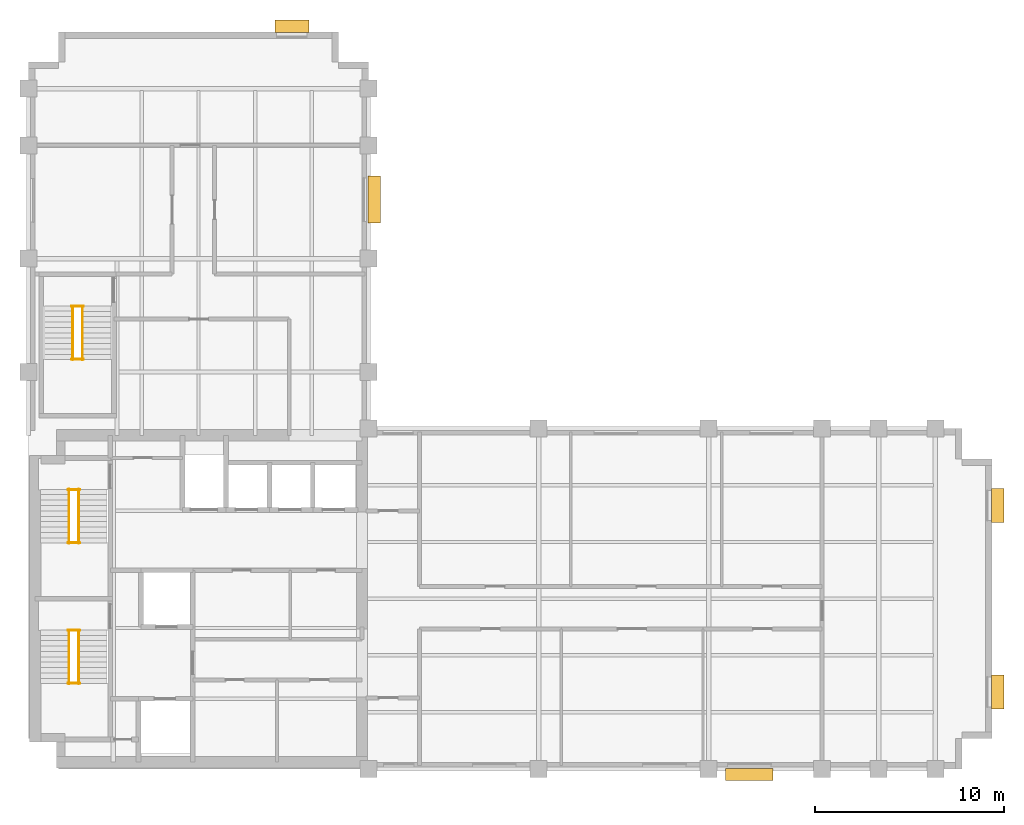
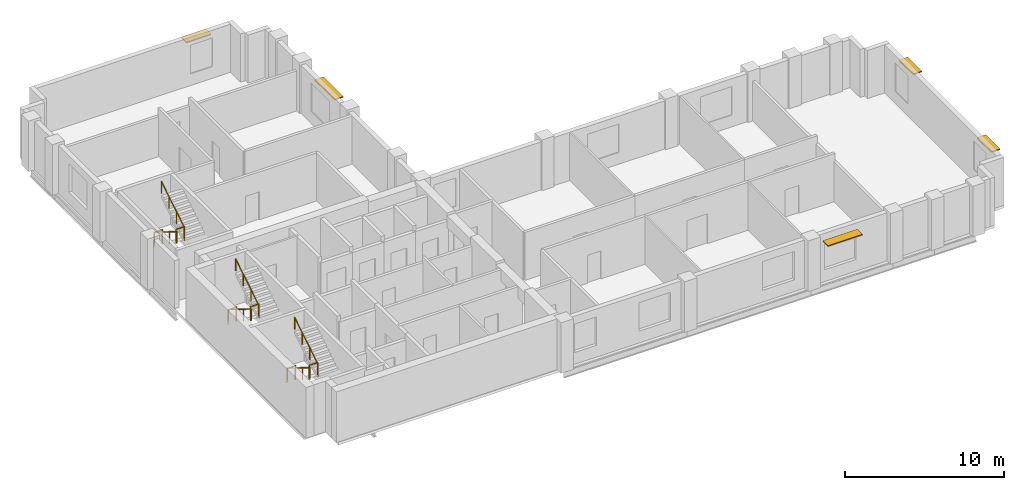
# One storey, part 6 of 6: 12 railings, 5 shading devices.
"""IFC4 building model written with IfcOpenShell, lengths in metres."""

from ifc_helpers import new_model, si_unit, direction, frame, origin, origin_2d, place, context, subcontext, project, spatial, rectangle, circle, extrude, material, layer, layer_set, type_object, element, save


model = new_model("IFC4")

# Units and contexts
model_context = context("Model", 3, precision=1e-05, world=origin(), true_north=direction((0.0, 1.0)))
body_context = subcontext(model_context, "Body", "Model", "MODEL_VIEW")
ifc_project = project(units=[si_unit("LENGTHUNIT", "METRE"), si_unit("AREAUNIT", "SQUARE_METRE"), si_unit("VOLUMEUNIT", "CUBIC_METRE"), si_unit("PLANEANGLEUNIT", "RADIAN"), si_unit("MASSUNIT", "GRAM", prefix="KILO")], contexts=[model_context])

# Site, building, storey
site_placement = place(None, origin())
site = spatial("IfcSite", under=ifc_project, at=site_placement, CompositionType="ELEMENT")
building_placement = place(site_placement, origin())
building = spatial("IfcBuilding", under=site, at=building_placement, Name="Mawjdan Bourse Tower", CompositionType="ELEMENT")
storey_placement = place(building_placement, frame((0.0, 0.0, 215.10009765625)))
storey = spatial("IfcBuildingStorey", under=building, at=storey_placement, Name="L52", CompositionType="ELEMENT", Elevation=215.10009765625)

# Railings
ifc_material_1 = material(Name="Structural Steel S355", Category="steel")
railing_type_1 = type_object("IfcRailingType", Name="RLG-GRD-1100", PredefinedType="GUARDRAIL", material=ifc_material_1)
for number, where, name in (
    (1, (8.090087890625, 7.52001953125, 1.949951171875), "L52 ST1 Landing Guardrail GL-MID"),
    (2, (8.090087890625, 10.330078125, 0.0), "L52 ST1 Landing Guardrail GL-BOT"),
    (3, (8.090087890625, 14.9599609375, 1.949951171875), "L52 ST2 Landing Guardrail GL-MID"),
    (4, (8.090087890625, 17.77001953125, 0.0), "L52 ST2 Landing Guardrail GL-BOT"),
    (5, (8.2900390625, 24.669921875, 1.949951171875), "L52 ST3 Landing Guardrail GL-MID"),
    (6, (8.2900390625, 27.47998046875, 0.0), "L52 ST3 Landing Guardrail GL-BOT"),
):
    element("IfcRailing", number, at=place(storey_placement, frame(where)), inside=storey, type_object=railing_type_1, Name=name, PredefinedType="GUARDRAIL", context=body_context, shape_type="SweptSolid", body=[
        extrude(circle(Radius=0.02490234375, at=origin_2d()), frame((0.0, 0.0, 1.0751953125), z_axis=(1.0, 0.0, 0.0), x_axis=(0.0, 1.0, 0.0)), (0.0, 0.0, 1.0), 0.619873046875),
        extrude(circle(Radius=0.02099609375, at=origin_2d()), origin(), (0.0, 0.0, 1.0), 1.050048828125),
        extrude(circle(Radius=0.02099609375, at=origin_2d()), frame((0.619873046875, 0.0, 0.0)), (0.0, 0.0, 1.0), 1.050048828125),
    ])
ifc_material_2 = material(Name="Brushed Stainless Steel", Category="steel")
railing_type_2 = type_object("IfcRailingType", Name="RLG-HND-920", PredefinedType="HANDRAIL", material=ifc_material_2)
railing_1_placement = place(storey_placement, frame((8.139892578125, 10.35009765625, 0.17724609375)))
element("IfcRailing", 7, at=railing_1_placement, inside=storey, type_object=railing_type_2, Name="L52 ST1 Flight Handrail HR1", PredefinedType="HANDRAIL", context=body_context, shape_type="SweptSolid", body=[
    extrude(circle(Radius=0.0224609375, at=origin_2d()), frame((0.0, 0.0, 0.8974609375), z_axis=(0.0, -0.849148672731, 0.528153890072), x_axis=(1.0, 0.0, 0.0)), (0.0, 0.0, 1.0), 3.3564453125),
    extrude(circle(Radius=0.01904296875, at=origin_2d()), origin(), (0.0, 0.0, 1.0), 0.875),
    extrude(circle(Radius=0.01904296875, at=origin_2d()), frame((0.0, -0.949951171875, 0.5908203125)), (0.0, 0.0, 1.0), 0.875),
    extrude(circle(Radius=0.01904296875, at=origin_2d()), frame((0.0, -1.900146484375, 1.181884765625)), (0.0, 0.0, 1.0), 0.875),
    extrude(circle(Radius=0.01904296875, at=origin_2d()), frame((0.0, -2.85009765625, 1.772705078125)), (0.0, 0.0, 1.0), 0.875),
])
railing_2_placement = place(storey_placement, frame((8.659912109375, 7.5, 2.127197265625)))
element("IfcRailing", 8, at=railing_2_placement, inside=storey, type_object=railing_type_2, Name="L52 ST1 Flight Handrail HR2", PredefinedType="HANDRAIL", context=body_context, shape_type="SweptSolid", body=[
    extrude(circle(Radius=0.0224609375, at=origin_2d()), frame((0.0, 0.0, 0.8974609375), z_axis=(0.0, 0.849148672731, 0.528153890072), x_axis=(-1.0, 0.0, 0.0)), (0.0, 0.0, 1.0), 3.3564453125),
    extrude(circle(Radius=0.01904296875, at=origin_2d()), origin(), (0.0, 0.0, 1.0), 0.875),
    extrude(circle(Radius=0.01904296875, at=origin_2d()), frame((0.0, 0.949951171875, 0.5908203125)), (0.0, 0.0, 1.0), 0.875),
    extrude(circle(Radius=0.01904296875, at=origin_2d()), frame((0.0, 1.900146484375, 1.181884765625)), (0.0, 0.0, 1.0), 0.875),
    extrude(circle(Radius=0.01904296875, at=origin_2d()), frame((0.0, 2.85009765625, 1.772705078125)), (0.0, 0.0, 1.0), 0.875),
])
railing_3_placement = place(storey_placement, frame((8.139892578125, 17.7900390625, 0.17724609375)))
element("IfcRailing", 9, at=railing_3_placement, inside=storey, type_object=railing_type_2, Name="L52 ST2 Flight Handrail HR1", PredefinedType="HANDRAIL", context=body_context, shape_type="SweptSolid", body=[
    extrude(circle(Radius=0.0224609375, at=origin_2d()), frame((0.0, 0.0, 0.8974609375), z_axis=(0.0, -0.849148672731, 0.528153890072), x_axis=(1.0, 0.0, 0.0)), (0.0, 0.0, 1.0), 3.3564453125),
    extrude(circle(Radius=0.01904296875, at=origin_2d()), origin(), (0.0, 0.0, 1.0), 0.875),
    extrude(circle(Radius=0.01904296875, at=origin_2d()), frame((0.0, -0.949951171875, 0.5908203125)), (0.0, 0.0, 1.0), 0.875),
    extrude(circle(Radius=0.01904296875, at=origin_2d()), frame((0.0, -1.900146484375, 1.181884765625)), (0.0, 0.0, 1.0), 0.875),
    extrude(circle(Radius=0.01904296875, at=origin_2d()), frame((0.0, -2.85009765625, 1.772705078125)), (0.0, 0.0, 1.0), 0.875),
])
railing_4_placement = place(storey_placement, frame((8.659912109375, 14.93994140625, 2.127197265625)))
element("IfcRailing", 10, at=railing_4_placement, inside=storey, type_object=railing_type_2, Name="L52 ST2 Flight Handrail HR2", PredefinedType="HANDRAIL", context=body_context, shape_type="SweptSolid", body=[
    extrude(circle(Radius=0.0224609375, at=origin_2d()), frame((0.0, 0.0, 0.8974609375), z_axis=(0.0, 0.849148672731, 0.528153890072), x_axis=(-1.0, 0.0, 0.0)), (0.0, 0.0, 1.0), 3.3564453125),
    extrude(circle(Radius=0.01904296875, at=origin_2d()), origin(), (0.0, 0.0, 1.0), 0.875),
    extrude(circle(Radius=0.01904296875, at=origin_2d()), frame((0.0, 0.949951171875, 0.5908203125)), (0.0, 0.0, 1.0), 0.875),
    extrude(circle(Radius=0.01904296875, at=origin_2d()), frame((0.0, 1.900146484375, 1.181884765625)), (0.0, 0.0, 1.0), 0.875),
    extrude(circle(Radius=0.01904296875, at=origin_2d()), frame((0.0, 2.85009765625, 1.772705078125)), (0.0, 0.0, 1.0), 0.875),
])
railing_5_placement = place(storey_placement, frame((8.340087890625, 27.5, 0.17724609375)))
element("IfcRailing", 11, at=railing_5_placement, inside=storey, type_object=railing_type_2, Name="L52 ST3 Flight Handrail HR1", PredefinedType="HANDRAIL", context=body_context, shape_type="SweptSolid", body=[
    extrude(circle(Radius=0.0224609375, at=origin_2d()), frame((0.0, 0.0, 0.8974609375), z_axis=(0.0, -0.849148672731, 0.528153890072), x_axis=(1.0, 0.0, 0.0)), (0.0, 0.0, 1.0), 3.3564453125),
    extrude(circle(Radius=0.01904296875, at=origin_2d()), origin(), (0.0, 0.0, 1.0), 0.875),
    extrude(circle(Radius=0.01904296875, at=origin_2d()), frame((0.0, -0.949951171875, 0.5908203125)), (0.0, 0.0, 1.0), 0.875),
    extrude(circle(Radius=0.01904296875, at=origin_2d()), frame((0.0, -1.900146484375, 1.181884765625)), (0.0, 0.0, 1.0), 0.875),
    extrude(circle(Radius=0.01904296875, at=origin_2d()), frame((0.0, -2.85009765625, 1.772705078125)), (0.0, 0.0, 1.0), 0.875),
])
railing_6_placement = place(storey_placement, frame((8.860107421875, 24.64990234375, 2.127197265625)))
element("IfcRailing", 12, at=railing_6_placement, inside=storey, type_object=railing_type_2, Name="L52 ST3 Flight Handrail HR2", PredefinedType="HANDRAIL", context=body_context, shape_type="SweptSolid", body=[
    extrude(circle(Radius=0.0224609375, at=origin_2d()), frame((0.0, 0.0, 0.8974609375), z_axis=(0.0, 0.849148672731, 0.528153890072), x_axis=(-1.0, 0.0, 0.0)), (0.0, 0.0, 1.0), 3.3564453125),
    extrude(circle(Radius=0.01904296875, at=origin_2d()), origin(), (0.0, 0.0, 1.0), 0.875),
    extrude(circle(Radius=0.01904296875, at=origin_2d()), frame((0.0, 0.949951171875, 0.5908203125)), (0.0, 0.0, 1.0), 0.875),
    extrude(circle(Radius=0.01904296875, at=origin_2d()), frame((0.0, 1.900146484375, 1.181884765625)), (0.0, 0.0, 1.0), 0.875),
    extrude(circle(Radius=0.01904296875, at=origin_2d()), frame((0.0, 2.85009765625, 1.772705078125)), (0.0, 0.0, 1.0), 0.875),
])

# Shading devices
ifc_material_3 = material(Name="Bronze Anodised Aluminium", Category="aluminium")
ifc_layer = layer(ifc_material_3, 0.074951171875)
ifc_layer_set = layer_set([ifc_layer], Name="Bronze Anodised Aluminium")
shading_device_type = type_object("IfcShadingDeviceType", Name="SHD-SUN-650", PredefinedType="USERDEFINED", material=ifc_layer_set)
shading_device_1_placement = place(storey_placement, frame((44.14990234375, 2.695068359375, 3.10009765625), z_axis=(0.0, 0.0, 1.0), x_axis=(1.0, 0.0, 0.0)))
element("IfcShadingDevice", 13, at=shading_device_1_placement, inside=storey, type_object=shading_device_type, Name="L52 Solar Window Hood 03", ObjectType="SUNSHADE", PredefinedType="USERDEFINED", context=body_context, shape_type="SweptSolid", body=[
    extrude(rectangle(XDim=2.5, YDim=0.64990234375, at=origin_2d()), origin(), (0.0, 0.0, 1.0), 0.074951171875),
])
for number, where, z_axis, x_axis, name in (
    (14, (57.304931640625, 7.066650390625, 3.10009765625), (0.0, 0.0, 1.0), (0.0, 1.0, 0.0), "L52 Solar Window Hood 04"),
    (15, (57.304931640625, 16.933349609375, 3.10009765625), (0.0, 0.0, 1.0), (0.0, 1.0, 0.0), "L52 Solar Window Hood 05"),
):
    element("IfcShadingDevice", number, at=place(storey_placement, frame(where, z_axis=z_axis, x_axis=x_axis)), inside=storey, type_object=shading_device_type, Name=name, ObjectType="SUNSHADE", PredefinedType="USERDEFINED", context=body_context, shape_type="SweptSolid", body=[
        extrude(rectangle(XDim=1.800048828125, YDim=0.64990234375, at=origin_2d()), origin(), (0.0, 0.0, 1.0), 0.074951171875),
    ])
shading_device_2_placement = place(storey_placement, frame((24.304931640625, 33.125, 3.10009765625), z_axis=(0.0, 0.0, 1.0), x_axis=(0.0, 1.0, 0.0)))
element("IfcShadingDevice", 16, at=shading_device_2_placement, inside=storey, type_object=shading_device_type, Name="L52 Solar Window Hood 07", ObjectType="SUNSHADE", PredefinedType="USERDEFINED", context=body_context, shape_type="SweptSolid", body=[
    extrude(rectangle(XDim=2.5, YDim=0.64990234375, at=origin_2d()), origin(), (0.0, 0.0, 1.0), 0.074951171875),
])
shading_device_3_placement = place(storey_placement, frame((19.933349609375, 42.304931640625, 3.10009765625), z_axis=(0.0, 0.0, 1.0), x_axis=(-1.0, 0.0, 0.0)))
element("IfcShadingDevice", 17, at=shading_device_3_placement, inside=storey, type_object=shading_device_type, Name="L52 Solar Window Hood 08", ObjectType="SUNSHADE", PredefinedType="USERDEFINED", context=body_context, shape_type="SweptSolid", body=[
    extrude(rectangle(XDim=1.800048828125, YDim=0.64990234375, at=origin_2d()), origin(), (0.0, 0.0, 1.0), 0.074951171875),
])

save(model, "model.ifc")
